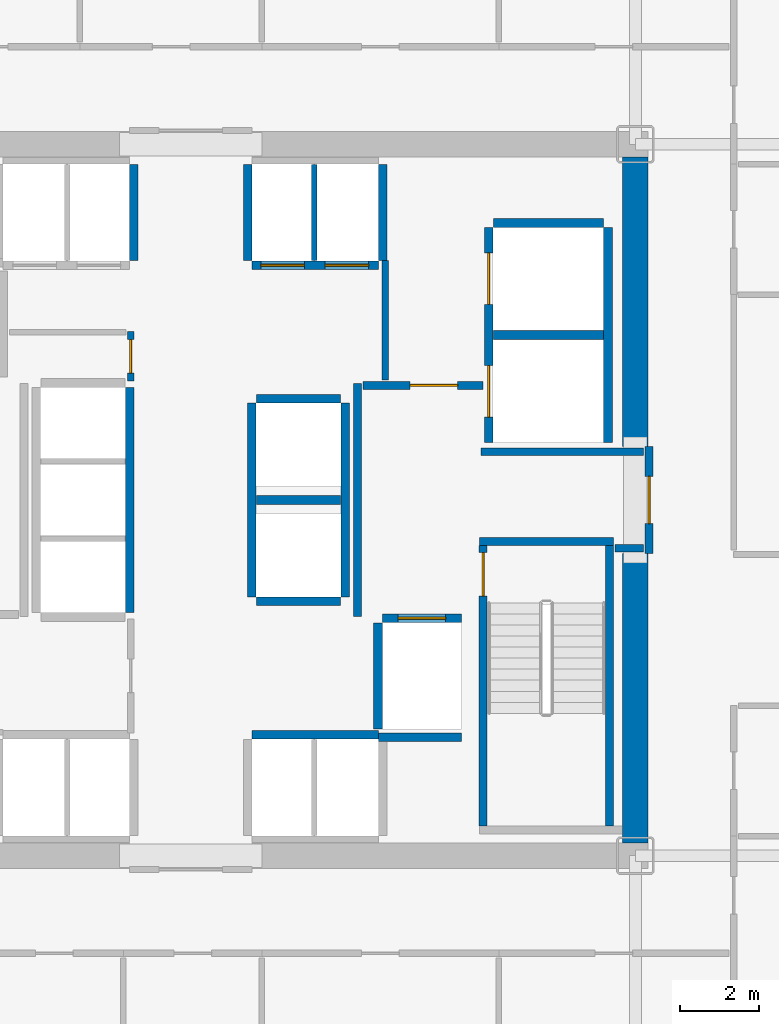
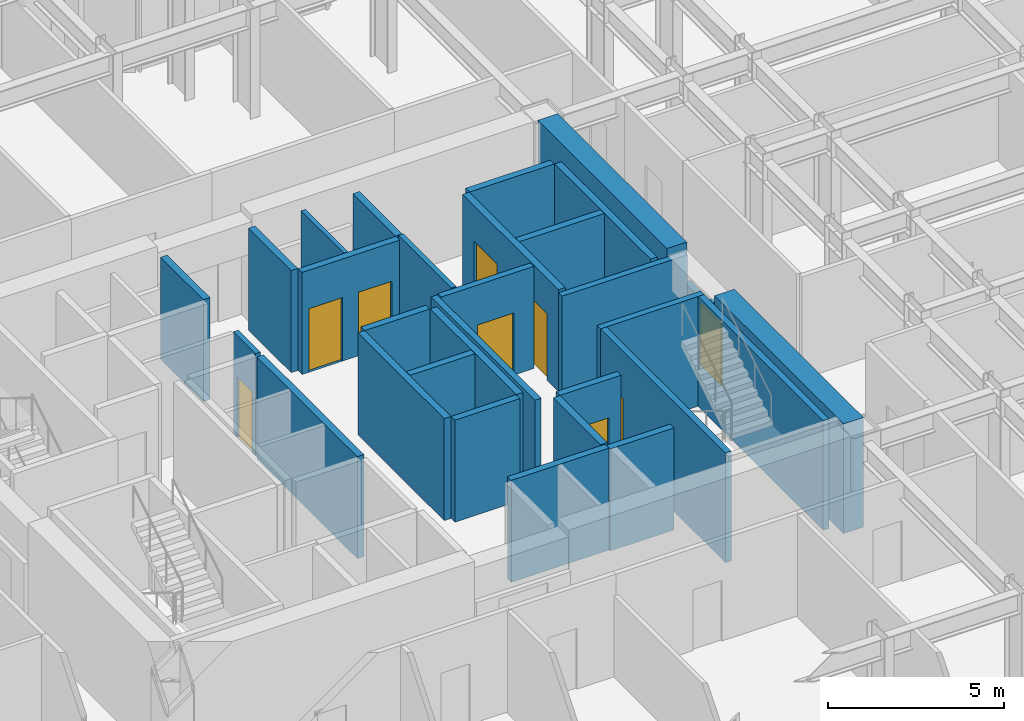
# One storey, part 22 of 26: 31 walls, 9 doors, 9 openings.
"""IFC4 building model written with IfcOpenShell, lengths in metres."""

from ifc_helpers import new_model, si_unit, direction, frame, frame_2d, origin, place, context, subcontext, project, spatial, rectangle, extrude, source, transform, mapped, material, layer, layer_set, type_object, element, fill, save


model = new_model("IFC4")

# Units and contexts
model_context = context("Model", 3, precision=1e-05, world=origin(), true_north=direction((0.0, 1.0)))
body_context = subcontext(model_context, "Body", "Model", "MODEL_VIEW")
ifc_project = project(units=[si_unit("LENGTHUNIT", "METRE"), si_unit("AREAUNIT", "SQUARE_METRE"), si_unit("VOLUMEUNIT", "CUBIC_METRE"), si_unit("PLANEANGLEUNIT", "RADIAN"), si_unit("MASSUNIT", "GRAM", prefix="KILO")], contexts=[model_context])

# Site, building, storey
site_placement = place(None, origin())
site = spatial("IfcSite", under=ifc_project, at=site_placement, CompositionType="ELEMENT")
building_placement = place(site_placement, origin())
building = spatial("IfcBuilding", under=site, at=building_placement, Name="Nefas-Gora Pilgrimage Tower", CompositionType="ELEMENT")
storey_placement = place(building_placement, frame((0.0, 0.0, 63.39990234375)))
storey = spatial("IfcBuildingStorey", under=building, at=storey_placement, Name="L14", CompositionType="ELEMENT", Elevation=63.39990234375)

# Walls
ifc_material_1 = material(Name="Concrete C60/75", Category="concrete")
ifc_layer_1 = layer(ifc_material_1, 0.64990234375)
ifc_layer_set_1 = layer_set([ifc_layer_1], Name="Concrete C60/75")
wall_type_1 = type_object("IfcWallType", Name="SW-CORE-650", PredefinedType="SHEAR", material=ifc_layer_set_1)
shared_shape_1 = source(origin(), body_context, "Body", "SweptSolid", [
    extrude(rectangle(XDim=7.324951171875, YDim=0.64990234375, at=frame_2d((3.66259765625, 0.0))), origin(), (0.0, 0.0, 1.0), 3.800048828125),
])
for number, where, z_axis, x_axis, name in (
    (1, (11.25, -8.675048828125, 0.0), (0.0, 0.0, 1.0), (0.0, 1.0, 0.0), "L14 Core Shear Wall E-South"),
    (2, (11.25, 1.35009765625, 0.0), (0.0, 0.0, 1.0), (0.0, 1.0, 0.0), "L14 Core Shear Wall E-North"),
):
    element("IfcWall", number, at=place(storey_placement, frame(where, z_axis=z_axis, x_axis=x_axis)), inside=storey, type_object=wall_type_1, Name=name, PredefinedType="SHEAR", context=body_context, shape_type="MappedRepresentation", body=[
        mapped(shared_shape_1, transform((0.0, 0.0, 0.0), x_axis=(1.0, 0.0, 0.0), y_axis=(0.0, 1.0, 0.0), z_axis=(0.0, 0.0, 1.0), scale=1.0)),
    ])
ifc_material_2 = material(Name="Concrete C45/55", Category="concrete")
ifc_layer_2 = layer(ifc_material_2, 0.199951171875)
ifc_layer_set_2 = layer_set([ifc_layer_2], Name="Concrete C45/55")
wall_type_2 = type_object("IfcWallType", Name="IW-STAIR-200", PredefinedType="SOLIDWALL", material=ifc_layer_set_2)
shared_shape_2 = source(origin(), body_context, "Body", "SweptSolid", [
    extrude(rectangle(XDim=3.39990234375, YDim=0.199951171875, at=frame_2d((1.699951171875, 0.0))), origin(), (0.0, 0.0, 1.0), 3.800048828125),
])
wall_1_placement = place(storey_placement, frame((7.300048828125, -1.050048828125, 0.0), z_axis=(0.0, 0.0, 1.0), x_axis=(1.0, 0.0, 0.0)))
element("IfcWall", 3, at=wall_1_placement, inside=storey, type_object=wall_type_2, Name="L14 Stairwell Shear Wall ST-02-near", PredefinedType="SOLIDWALL", context=body_context, shape_type="MappedRepresentation", body=[
    mapped(shared_shape_2, transform((0.0, 0.0, 0.0), x_axis=(1.0, 0.0, 0.0), y_axis=(0.0, 1.0, 0.0), z_axis=(0.0, 0.0, 1.0), scale=1.0)),
])

# Wall, opening, door
shared_shape_3 = source(origin(), body_context, "Body", "SweptSolid", [
    extrude(rectangle(XDim=7.10009765625, YDim=0.199951171875, at=frame_2d((3.550048828125, 0.0))), origin(), (0.0, 0.0, 1.0), 3.800048828125),
])
wall_2_placement = place(storey_placement, frame((7.39990234375, -1.14990234375, 0.0), z_axis=(0.0, 0.0, 1.0), x_axis=(0.0, -1.0, 0.0)))
wall_2 = element("IfcWall", 4, at=wall_2_placement, inside=storey, type_object=wall_type_2, Name="L14 Stairwell Shear Wall ST-02-left", PredefinedType="SOLIDWALL", context=body_context, shape_type="MappedRepresentation", body=[
    mapped(shared_shape_3, transform((0.0, 0.0, 0.0), x_axis=(1.0, 0.0, 0.0), y_axis=(0.0, 1.0, 0.0), z_axis=(0.0, 0.0, 1.0), scale=1.0)),
])
opening_1_placement = place(wall_2_placement, frame((0.179931640625, 0.0, 0.0)))
opening_1 = element("IfcOpeningElement", 5, at=opening_1_placement, cuts=wall_2, Name="Opening ID-ST1", PredefinedType="OPENING", context=body_context, shape_type="SweptSolid", body=[
    extrude(rectangle(XDim=1.10009765625, YDim=2.14990234375, at=frame_2d((0.550048828125, 1.074951171875))), frame((0.0, 0.10986328125, 0.0), z_axis=(0.0, -1.0, 0.0), x_axis=(1.0, 0.0, 0.0)), (0.0, 0.0, 1.0), 0.219970703125),
])
ifc_material_3 = material(Name="Painted galvanised steel fire stair door", Category="steel")
door_type_1 = type_object("IfcDoorType", Name="DR-INT-STAIR-1100", OperationType="NOTDEFINED", PredefinedType="DOOR", material=ifc_material_3)
shared_shape_4 = source(origin(), body_context, "Body", "SweptSolid", [
    extrude(rectangle(XDim=1.10009765625, YDim=2.14990234375, at=frame_2d((0.550048828125, 1.074951171875))), frame((0.0, 0.02490234375, 0.0), z_axis=(0.0, -1.0, 0.0), x_axis=(1.0, 0.0, 0.0)), (0.0, 0.0, 1.0), 0.050048828125),
])
door_1_placement = place(opening_1_placement, origin())
door_1 = element("IfcDoor", 6, at=door_1_placement, inside=storey, type_object=door_type_1, Name="L14 Protected Exit Stair Door ST-02", OperationType="SINGLE_SWING_LEFT", OverallHeight=2.14990234375, OverallWidth=1.10009765625, PredefinedType="DOOR", context=body_context, shape_type="MappedRepresentation", body=[
    mapped(shared_shape_4, transform((0.0, 0.0, 0.0), x_axis=(1.0, 0.0, 0.0), y_axis=(0.0, 1.0, 0.0), z_axis=(0.0, 0.0, 1.0), scale=1.0)),
])
fill(opening_1, door_1)

# Wall
wall_3_placement = place(storey_placement, frame((10.60009765625, -1.14990234375, 0.0), z_axis=(0.0, 0.0, 1.0), x_axis=(0.0, -1.0, 0.0)))
element("IfcWall", 7, at=wall_3_placement, inside=storey, type_object=wall_type_2, Name="L14 Stairwell Shear Wall ST-02-right", PredefinedType="SOLIDWALL", context=body_context, shape_type="MappedRepresentation", body=[
    mapped(shared_shape_3, transform((0.0, 0.0, 0.0), x_axis=(1.0, 0.0, 0.0), y_axis=(0.0, 1.0, 0.0), z_axis=(0.0, 0.0, 1.0), scale=1.0)),
])

# Wall, opening, door
ifc_material_4 = material(Name="Concrete C40/50", Category="concrete")
ifc_layer_3 = layer(ifc_material_4, 0.219970703125)
ifc_layer_set_3 = layer_set([ifc_layer_3], Name="Concrete C40/50")
wall_type_3 = type_object("IfcWallType", Name="IW-SHAFT-220", PredefinedType="SOLIDWALL", material=ifc_layer_set_3)
shared_shape_5 = source(origin(), body_context, "Body", "SweptSolid", [
    extrude(rectangle(XDim=2.0, YDim=0.219970703125, at=frame_2d((1.0, 0.0))), origin(), (0.0, 0.0, 1.0), 3.53515625),
])
wall_4_placement = place(storey_placement, frame((6.85009765625, -2.989990234375, 0.0), z_axis=(0.0, 0.0, 1.0), x_axis=(-1.0, 0.0, 0.0)))
wall_4 = element("IfcWall", 8, at=wall_4_placement, inside=storey, type_object=wall_type_3, Name="L14 Hoistway Wall FFL-02-N", PredefinedType="SOLIDWALL", context=body_context, shape_type="MappedRepresentation", body=[
    mapped(shared_shape_5, transform((0.0, 0.0, 0.0), x_axis=(1.0, 0.0, 0.0), y_axis=(0.0, 1.0, 0.0), z_axis=(0.0, 0.0, 1.0), scale=1.0)),
])
opening_2_placement = place(wall_4_placement, frame((0.39990234375, 0.0, 0.0)))
opening_2 = element("IfcOpeningElement", 9, at=opening_2_placement, cuts=wall_4, Name="Opening LD-FF", PredefinedType="OPENING", context=body_context, shape_type="SweptSolid", body=[
    extrude(rectangle(XDim=1.199951171875, YDim=2.199951171875, at=frame_2d((0.60009765625, 1.10009765625))), frame((0.0, 0.119873046875, 0.0), z_axis=(0.0, -1.0, 0.0), x_axis=(1.0, 0.0, 0.0)), (0.0, 0.0, 1.0), 0.239990234375),
])
ifc_material_5 = material(Name="Fire-service sliding lift landing door")
door_type_2 = type_object("IfcDoorType", Name="DR-LIFT-FSAE-1200", OperationType="SLIDING_TO_LEFT", PredefinedType="DOOR", material=ifc_material_5)
shared_shape_6 = source(origin(), body_context, "Body", "SweptSolid", [
    extrude(rectangle(XDim=1.199951171875, YDim=2.199951171875, at=frame_2d((0.60009765625, 1.10009765625))), frame((0.0, 0.02490234375, 0.0), z_axis=(0.0, -1.0, 0.0), x_axis=(1.0, 0.0, 0.0)), (0.0, 0.0, 1.0), 0.050048828125),
])
door_2_placement = place(opening_2_placement, origin())
door_2 = element("IfcDoor", 10, at=door_2_placement, inside=storey, type_object=door_type_2, Name="L14 Sliding Lift Landing Door FFL-02", OperationType="SLIDING_TO_LEFT", OverallHeight=2.199951171875, OverallWidth=1.199951171875, PredefinedType="DOOR", context=body_context, shape_type="MappedRepresentation", body=[
    mapped(shared_shape_6, transform((0.0, 0.0, 0.0), x_axis=(1.0, 0.0, 0.0), y_axis=(0.0, 1.0, 0.0), z_axis=(0.0, 0.0, 1.0), scale=1.0)),
])
fill(opening_2, door_2)

# Wall
shared_shape_7 = source(origin(), body_context, "Body", "SweptSolid", [
    extrude(rectangle(XDim=2.679931640625, YDim=0.219970703125, at=frame_2d((1.33984375, 0.0))), origin(), (0.0, 0.0, 1.0), 3.53515625),
])
wall_5_placement = place(storey_placement, frame((4.739990234375, -3.110107421875, 0.0), z_axis=(0.0, 0.0, 1.0), x_axis=(0.0, -1.0, 0.0)))
element("IfcWall", 11, at=wall_5_placement, inside=storey, type_object=wall_type_3, Name="L14 Hoistway Wall FFL-02-W", PredefinedType="SOLIDWALL", context=body_context, shape_type="MappedRepresentation", body=[
    mapped(shared_shape_7, transform((0.0, 0.0, 0.0), x_axis=(1.0, 0.0, 0.0), y_axis=(0.0, 1.0, 0.0), z_axis=(0.0, 0.0, 1.0), scale=1.0)),
])

# Wall, openings, doors
shared_shape_8 = source(origin(), body_context, "Body", "SweptSolid", [
    extrude(rectangle(XDim=5.449951171875, YDim=0.219970703125, at=frame_2d((2.72509765625, 0.0))), origin(), (0.0, 0.0, 1.0), 3.53515625),
])
wall_6_placement = place(storey_placement, frame((7.5400390625, 6.89990234375, 0.0), z_axis=(0.0, 0.0, 1.0), x_axis=(0.0, -1.0, 0.0)))
wall_6 = element("IfcWall", 12, at=wall_6_placement, inside=storey, type_object=wall_type_3, Name="L14 Hoistway Wall SL-01-02-W", PredefinedType="SOLIDWALL", context=body_context, shape_type="MappedRepresentation", body=[
    mapped(shared_shape_8, transform((0.0, 0.0, 0.0), x_axis=(1.0, 0.0, 0.0), y_axis=(0.0, 1.0, 0.0), z_axis=(0.0, 0.0, 1.0), scale=1.0)),
])
opening_3_placement = place(wall_6_placement, frame((3.5, 0.0, 0.0)))
opening_3 = element("IfcOpeningElement", 13, at=opening_3_placement, cuts=wall_6, Name="Opening LD-SV", PredefinedType="OPENING", context=body_context, shape_type="SweptSolid", body=[
    extrude(rectangle(XDim=1.300048828125, YDim=2.300048828125, at=frame_2d((0.64990234375, 1.14990234375))), frame((0.0, 0.119873046875, 0.0), z_axis=(0.0, -1.0, 0.0), x_axis=(1.0, 0.0, 0.0)), (0.0, 0.0, 1.0), 0.239990234375),
])
opening_4_placement = place(wall_6_placement, frame((0.64990234375, 0.0, 0.0)))
opening_4 = element("IfcOpeningElement", 14, at=opening_4_placement, cuts=wall_6, Name="Opening LD-SV", PredefinedType="OPENING", context=body_context, shape_type="SweptSolid", body=[
    extrude(rectangle(XDim=1.300048828125, YDim=2.300048828125, at=frame_2d((0.64990234375, 1.14990234375))), frame((0.0, 0.119873046875, 0.0), z_axis=(0.0, -1.0, 0.0), x_axis=(1.0, 0.0, 0.0)), (0.0, 0.0, 1.0), 0.239990234375),
])
ifc_material_6 = material(Name="Heavy goods sliding lift landing door")
door_type_3 = type_object("IfcDoorType", Name="DR-LIFT-SERV-1300", OperationType="SLIDING_TO_RIGHT", PredefinedType="DOOR", material=ifc_material_6)
shared_shape_9 = source(origin(), body_context, "Body", "SweptSolid", [
    extrude(rectangle(XDim=1.300048828125, YDim=2.300048828125, at=frame_2d((0.64990234375, 1.14990234375))), frame((0.0, 0.02490234375, 0.0), z_axis=(0.0, -1.0, 0.0), x_axis=(1.0, 0.0, 0.0)), (0.0, 0.0, 1.0), 0.050048828125),
])
door_3_placement = place(opening_3_placement, origin())
door_3 = element("IfcDoor", 15, at=door_3_placement, inside=storey, type_object=door_type_3, Name="L14 Sliding Lift Landing Door SL-01", OperationType="SLIDING_TO_RIGHT", OverallHeight=2.300048828125, OverallWidth=1.300048828125, PredefinedType="DOOR", context=body_context, shape_type="MappedRepresentation", body=[
    mapped(shared_shape_9, transform((0.0, 0.0, 0.0), x_axis=(1.0, 0.0, 0.0), y_axis=(0.0, 1.0, 0.0), z_axis=(0.0, 0.0, 1.0), scale=1.0)),
])
fill(opening_3, door_3)
door_4_placement = place(opening_4_placement, origin())
door_4 = element("IfcDoor", 16, at=door_4_placement, inside=storey, type_object=door_type_3, Name="L14 Sliding Lift Landing Door SL-02", OperationType="SLIDING_TO_RIGHT", OverallHeight=2.300048828125, OverallWidth=1.300048828125, PredefinedType="DOOR", context=body_context, shape_type="MappedRepresentation", body=[
    mapped(shared_shape_9, transform((0.0, 0.0, 0.0), x_axis=(1.0, 0.0, 0.0), y_axis=(0.0, 1.0, 0.0), z_axis=(0.0, 0.0, 1.0), scale=1.0)),
])
fill(opening_4, door_4)

# Walls
wall_7_placement = place(storey_placement, frame((10.56005859375, 1.449951171875, 0.0), z_axis=(0.0, 0.0, 1.0), x_axis=(0.0, 1.0, 0.0)))
element("IfcWall", 17, at=wall_7_placement, inside=storey, type_object=wall_type_3, Name="L14 Hoistway Wall SL-01-02-E", PredefinedType="SOLIDWALL", context=body_context, shape_type="MappedRepresentation", body=[
    mapped(shared_shape_8, transform((0.0, 0.0, 0.0), x_axis=(1.0, 0.0, 0.0), y_axis=(0.0, 1.0, 0.0), z_axis=(0.0, 0.0, 1.0), scale=1.0)),
])
shared_shape_10 = source(origin(), body_context, "Body", "SweptSolid", [
    extrude(rectangle(XDim=2.780029296875, YDim=0.219970703125, at=frame_2d((1.39013671875, 0.0))), origin(), (0.0, 0.0, 1.0), 3.53515625),
])
for number, where, z_axis, x_axis, name in (
    (18, (7.659912109375, 4.175048828125, 0.0), (0.0, 0.0, 1.0), (1.0, 0.0, 0.0), "L14 Hoistway Wall SL-01-02-DIV"),
    (19, (10.43994140625, 7.010009765625, 0.0), (0.0, 0.0, 1.0), (-1.0, 0.0, 0.0), "L14 Hoistway Wall SL-02-N"),
):
    element("IfcWall", number, at=place(storey_placement, frame(where, z_axis=z_axis, x_axis=x_axis)), inside=storey, type_object=wall_type_3, Name=name, PredefinedType="SOLIDWALL", context=body_context, shape_type="MappedRepresentation", body=[
        mapped(shared_shape_10, transform((0.0, 0.0, 0.0), x_axis=(1.0, 0.0, 0.0), y_axis=(0.0, 1.0, 0.0), z_axis=(0.0, 0.0, 1.0), scale=1.0)),
    ])

# Wall, openings, doors
shared_shape_11 = source(origin(), body_context, "Body", "SweptSolid", [
    extrude(rectangle(XDim=3.199951171875, YDim=0.219970703125, at=frame_2d((1.60009765625, 0.0))), origin(), (0.0, 0.0, 1.0), 3.53515625),
])
wall_8_placement = place(storey_placement, frame((1.550048828125, 5.93994140625, 0.0), z_axis=(0.0, 0.0, 1.0), x_axis=(1.0, 0.0, 0.0)))
wall_8 = element("IfcWall", 20, at=wall_8_placement, inside=storey, type_object=wall_type_3, Name="L14 Hoistway Wall PL1-E-S", PredefinedType="SOLIDWALL", context=body_context, shape_type="MappedRepresentation", body=[
    mapped(shared_shape_11, transform((0.0, 0.0, 0.0), x_axis=(1.0, 0.0, 0.0), y_axis=(0.0, 1.0, 0.0), z_axis=(0.0, 0.0, 1.0), scale=1.0)),
])
opening_5_placement = place(wall_8_placement, frame((0.22509765625, 0.0, 0.0)))
opening_5 = element("IfcOpeningElement", 21, at=opening_5_placement, cuts=wall_8, Name="Opening LD-01", PredefinedType="OPENING", context=body_context, shape_type="SweptSolid", body=[
    extrude(rectangle(XDim=1.10009765625, YDim=2.199951171875, at=frame_2d((0.550048828125, 1.10009765625))), frame((0.0, 0.119873046875, 0.0), z_axis=(0.0, -1.0, 0.0), x_axis=(1.0, 0.0, 0.0)), (0.0, 0.0, 1.0), 0.239990234375),
])
opening_6_placement = place(wall_8_placement, frame((1.85009765625, 0.0, 0.0)))
opening_6 = element("IfcOpeningElement", 22, at=opening_6_placement, cuts=wall_8, Name="Opening LD-01", PredefinedType="OPENING", context=body_context, shape_type="SweptSolid", body=[
    extrude(rectangle(XDim=1.10009765625, YDim=2.199951171875, at=frame_2d((0.550048828125, 1.10009765625))), frame((0.0, 0.119873046875, 0.0), z_axis=(0.0, -1.0, 0.0), x_axis=(1.0, 0.0, 0.0)), (0.0, 0.0, 1.0), 0.239990234375),
])
ifc_material_7 = material(Name="Brushed stainless sliding lift landing door")
door_type_4 = type_object("IfcDoorType", Name="DR-LIFT-PASS-1100", OperationType="DOUBLE_DOOR_SLIDING", PredefinedType="DOOR", material=ifc_material_7)
shared_shape_12 = source(origin(), body_context, "Body", "SweptSolid", [
    extrude(rectangle(XDim=1.10009765625, YDim=2.199951171875, at=frame_2d((0.550048828125, 1.10009765625))), frame((0.0, 0.02490234375, 0.0), z_axis=(0.0, -1.0, 0.0), x_axis=(1.0, 0.0, 0.0)), (0.0, 0.0, 1.0), 0.050048828125),
])
door_5_placement = place(opening_5_placement, origin())
door_5 = element("IfcDoor", 23, at=door_5_placement, inside=storey, type_object=door_type_4, Name="L14 Sliding Lift Landing Door PL1-03", OperationType="DOUBLE_DOOR_SLIDING", OverallHeight=2.199951171875, OverallWidth=1.10009765625, PredefinedType="DOOR", context=body_context, shape_type="MappedRepresentation", body=[
    mapped(shared_shape_12, transform((0.0, 0.0, 0.0), x_axis=(1.0, 0.0, 0.0), y_axis=(0.0, 1.0, 0.0), z_axis=(0.0, 0.0, 1.0), scale=1.0)),
])
fill(opening_5, door_5)
door_6_placement = place(opening_6_placement, origin())
door_6 = element("IfcDoor", 24, at=door_6_placement, inside=storey, type_object=door_type_4, Name="L14 Sliding Lift Landing Door PL1-04", OperationType="DOUBLE_DOOR_SLIDING", OverallHeight=2.199951171875, OverallWidth=1.10009765625, PredefinedType="DOOR", context=body_context, shape_type="MappedRepresentation", body=[
    mapped(shared_shape_12, transform((0.0, 0.0, 0.0), x_axis=(1.0, 0.0, 0.0), y_axis=(0.0, 1.0, 0.0), z_axis=(0.0, 0.0, 1.0), scale=1.0)),
])
fill(opening_6, door_6)

# Walls
wall_9_placement = place(storey_placement, frame((4.75, -5.93994140625, 0.0), z_axis=(0.0, 0.0, 1.0), x_axis=(-1.0, 0.0, 0.0)))
element("IfcWall", 25, at=wall_9_placement, inside=storey, type_object=wall_type_3, Name="L14 Hoistway Wall PL2-E-N", PredefinedType="SOLIDWALL", context=body_context, shape_type="MappedRepresentation", body=[
    mapped(shared_shape_11, transform((0.0, 0.0, 0.0), x_axis=(1.0, 0.0, 0.0), y_axis=(0.0, 1.0, 0.0), z_axis=(0.0, 0.0, 1.0), scale=1.0)),
])
shared_shape_13 = source(origin(), body_context, "Body", "SweptSolid", [
    extrude(rectangle(XDim=2.429931640625, YDim=0.219970703125, at=frame_2d((1.21484375, 0.0))), origin(), (0.0, 0.0, 1.0), 3.53515625),
])
for number, where, z_axis, x_axis, name in (
    (26, (-1.43994140625, 6.06005859375, 0.0), (0.0, 0.0, 1.0), (0.0, 1.0, 0.0), "L14 Hoistway Wall PL1-W-E"),
    (27, (1.43994140625, 8.489990234375, 0.0), (0.0, 0.0, 1.0), (0.0, -1.0, 0.0), "L14 Hoistway Wall PL1-E-W"),
    (28, (4.860107421875, 6.06005859375, 0.0), (0.0, 0.0, 1.0), (0.0, 1.0, 0.0), "L14 Hoistway Wall PL1-E-E"),
):
    element("IfcWall", number, at=place(storey_placement, frame(where, z_axis=z_axis, x_axis=x_axis)), inside=storey, type_object=wall_type_3, Name=name, PredefinedType="SOLIDWALL", context=body_context, shape_type="MappedRepresentation", body=[
        mapped(shared_shape_13, transform((0.0, 0.0, 0.0), x_axis=(1.0, 0.0, 0.0), y_axis=(0.0, 1.0, 0.0), z_axis=(0.0, 0.0, 1.0), scale=1.0)),
    ])
ifc_material_8 = material(Name="Gypsum twin-stud partition")
ifc_layer_4 = layer(ifc_material_8, 0.139892578125)
ifc_layer_set_4 = layer_set([ifc_layer_4], Name="Gypsum twin-stud partition")
wall_type_4 = type_object("IfcWallType", Name="IW-UNIT-140", PredefinedType="PARTITIONING", material=ifc_layer_set_4)
shared_shape_14 = source(origin(), body_context, "Body", "SweptSolid", [
    extrude(rectangle(XDim=2.429931640625, YDim=0.139892578125, at=frame_2d((1.21484375, 0.0))), origin(), (0.0, 0.0, 1.0), 3.53515625),
])
wall_10_placement = place(storey_placement, frame((3.125, 6.06005859375, 0.0), z_axis=(0.0, 0.0, 1.0), x_axis=(0.0, 1.0, 0.0)))
element("IfcWall", 29, at=wall_10_placement, inside=storey, type_object=wall_type_4, Name="L14 Hoistway Wall PL1-E-DIV", PredefinedType="PARTITIONING", context=body_context, shape_type="MappedRepresentation", body=[
    mapped(shared_shape_14, transform((0.0, 0.0, 0.0), x_axis=(1.0, 0.0, 0.0), y_axis=(0.0, 1.0, 0.0), z_axis=(0.0, 0.0, 1.0), scale=1.0)),
])
shared_shape_15 = source(origin(), body_context, "Body", "SweptSolid", [
    extrude(rectangle(XDim=5.7001953125, YDim=0.219970703125, at=frame_2d((2.85009765625, 0.0))), origin(), (0.0, 0.0, 1.0), 3.53515625),
])
wall_11_placement = place(storey_placement, frame((-1.5400390625, -2.85009765625, 0.0), z_axis=(0.0, 0.0, 1.0), x_axis=(0.0, 1.0, 0.0)))
element("IfcWall", 30, at=wall_11_placement, inside=storey, type_object=wall_type_3, Name="L14 Hoistway Wall PL3-01-03-E", PredefinedType="SOLIDWALL", context=body_context, shape_type="MappedRepresentation", body=[
    mapped(shared_shape_15, transform((0.0, 0.0, 0.0), x_axis=(1.0, 0.0, 0.0), y_axis=(0.0, 1.0, 0.0), z_axis=(0.0, 0.0, 1.0), scale=1.0)),
])
shared_shape_16 = source(origin(), body_context, "Body", "SweptSolid", [
    extrude(rectangle(XDim=2.130126953125, YDim=0.219970703125, at=frame_2d((1.06494140625, 0.0))), origin(), (0.0, 0.0, 1.0), 3.53515625),
])
for number, where, z_axis, x_axis, name in (
    (31, (1.659912109375, -2.56005859375, 0.0), (0.0, 0.0, 1.0), (1.0, 0.0, 0.0), "L14 Hoistway Wall OBS-01-S"),
    (32, (1.659912109375, 0.0, 0.0), (0.0, 0.0, 1.0), (1.0, 0.0, 0.0), "L14 Hoistway Wall OBS-01-02-DIV"),
    (33, (3.7900390625, 2.56005859375, 0.0), (0.0, 0.0, 1.0), (-1.0, 0.0, 0.0), "L14 Hoistway Wall OBS-02-N"),
):
    element("IfcWall", number, at=place(storey_placement, frame(where, z_axis=z_axis, x_axis=x_axis)), inside=storey, type_object=wall_type_3, Name=name, PredefinedType="SOLIDWALL", context=body_context, shape_type="MappedRepresentation", body=[
        mapped(shared_shape_16, transform((0.0, 0.0, 0.0), x_axis=(1.0, 0.0, 0.0), y_axis=(0.0, 1.0, 0.0), z_axis=(0.0, 0.0, 1.0), scale=1.0)),
    ])
shared_shape_17 = source(origin(), body_context, "Body", "SweptSolid", [
    extrude(rectangle(XDim=4.89990234375, YDim=0.219970703125, at=frame_2d((2.449951171875, 0.0))), origin(), (0.0, 0.0, 1.0), 3.53515625),
])
for number, where, z_axis, x_axis, name in (
    (34, (1.5400390625, 2.449951171875, 0.0), (0.0, 0.0, 1.0), (0.0, -1.0, 0.0), "L14 Hoistway Wall OBS-01-02-W"),
    (35, (3.909912109375, -2.449951171875, 0.0), (0.0, 0.0, 1.0), (0.0, 1.0, 0.0), "L14 Hoistway Wall OBS-01-02-E"),
):
    element("IfcWall", number, at=place(storey_placement, frame(where, z_axis=z_axis, x_axis=x_axis)), inside=storey, type_object=wall_type_3, Name=name, PredefinedType="SOLIDWALL", context=body_context, shape_type="MappedRepresentation", body=[
        mapped(shared_shape_17, transform((0.0, 0.0, 0.0), x_axis=(1.0, 0.0, 0.0), y_axis=(0.0, 1.0, 0.0), z_axis=(0.0, 0.0, 1.0), scale=1.0)),
    ])

# Wall, opening, door
ifc_material_9 = material(Name="Gypsum fire-rated shaftwall")
ifc_layer_5 = layer(ifc_material_9, 0.199951171875)
ifc_layer_set_5 = layer_set([ifc_layer_5], Name="Gypsum fire-rated shaftwall")
wall_type_5 = type_object("IfcWallType", Name="IW-FFLOB-200", PredefinedType="PARTITIONING", material=ifc_layer_set_5)
shared_shape_18 = source(origin(), body_context, "Body", "SweptSolid", [
    extrude(rectangle(XDim=2.7001953125, YDim=0.199951171875, at=frame_2d((1.35009765625, 0.0))), origin(), (0.0, 0.0, 1.0), 2.425048828125),
])
wall_12_placement = place(storey_placement, frame((11.60009765625, -1.35009765625, 0.0), z_axis=(0.0, 0.0, 1.0), x_axis=(0.0, 1.0, 0.0)))
wall_12 = element("IfcWall", 36, at=wall_12_placement, inside=storey, type_object=wall_type_5, Name="L14 FF Lobby East Portal Wall 8", PredefinedType="PARTITIONING", context=body_context, shape_type="MappedRepresentation", body=[
    mapped(shared_shape_18, transform((0.0, 0.0, 0.0), x_axis=(1.0, 0.0, 0.0), y_axis=(0.0, 1.0, 0.0), z_axis=(0.0, 0.0, 1.0), scale=1.0)),
])
opening_7_placement = place(wall_12_placement, frame((0.75, 0.0, 0.0)))
opening_7 = element("IfcOpeningElement", 37, at=opening_7_placement, cuts=wall_12, Name="Opening ID-FF1", PredefinedType="OPENING", context=body_context, shape_type="SweptSolid", body=[
    extrude(rectangle(XDim=1.199951171875, YDim=2.14990234375, at=frame_2d((0.60009765625, 1.074951171875))), frame((0.0, 0.10986328125, 0.0), z_axis=(0.0, -1.0, 0.0), x_axis=(1.0, 0.0, 0.0)), (0.0, 0.0, 1.0), 0.219970703125),
])
ifc_material_10 = material(Name="Smoke-sealed steel firefighting lobby door", Category="steel")
door_type_5 = type_object("IfcDoorType", Name="DR-INT-FFLOB-1200", OperationType="NOTDEFINED", PredefinedType="DOOR", material=ifc_material_10)
shared_shape_19 = source(origin(), body_context, "Body", "SweptSolid", [
    extrude(rectangle(XDim=1.199951171875, YDim=2.14990234375, at=frame_2d((0.60009765625, 1.074951171875))), frame((0.0, 0.02490234375, 0.0), z_axis=(0.0, -1.0, 0.0), x_axis=(1.0, 0.0, 0.0)), (0.0, 0.0, 1.0), 0.050048828125),
])
door_7_placement = place(opening_7_placement, origin())
door_7 = element("IfcDoor", 38, at=door_7_placement, inside=storey, type_object=door_type_5, Name="L14 FF Lobby East Portal Door 2", OperationType="SINGLE_SWING_LEFT", OverallHeight=2.14990234375, OverallWidth=1.199951171875, PredefinedType="DOOR", context=body_context, shape_type="MappedRepresentation", body=[
    mapped(shared_shape_19, transform((0.0, 0.0, 0.0), x_axis=(1.0, 0.0, 0.0), y_axis=(0.0, 1.0, 0.0), z_axis=(0.0, 0.0, 1.0), scale=1.0)),
])
fill(opening_7, door_7)

# Walls
shared_shape_20 = source(origin(), body_context, "Body", "SweptSolid", [
    extrude(rectangle(XDim=2.09521484375, YDim=0.219970703125, at=frame_2d((1.047607421875, 0.0))), origin(), (0.0, 0.0, 1.0), 3.53515625),
])
wall_13_placement = place(storey_placement, frame((4.7548828125, -6.0, 0.0), z_axis=(0.0, 0.0, 1.0), x_axis=(1.0, 0.0, 0.0)))
element("IfcWall", 39, at=wall_13_placement, inside=storey, type_object=wall_type_3, Name="L14 Riser Shaft Wall 2", PredefinedType="SOLIDWALL", context=body_context, shape_type="MappedRepresentation", body=[
    mapped(shared_shape_20, transform((0.0, 0.0, 0.0), x_axis=(1.0, 0.0, 0.0), y_axis=(0.0, 1.0, 0.0), z_axis=(0.0, 0.0, 1.0), scale=1.0)),
])
shared_shape_21 = source(origin(), body_context, "Body", "SweptSolid", [
    extrude(rectangle(XDim=5.89990234375, YDim=0.199951171875, at=frame_2d((2.949951171875, 0.0))), origin(), (0.0, 0.0, 1.0), 3.53515625),
])
wall_14_placement = place(storey_placement, frame((4.219970703125, -2.949951171875, 0.0), z_axis=(0.0, 0.0, 1.0), x_axis=(0.0, 1.0, 0.0)))
element("IfcWall", 40, at=wall_14_placement, inside=storey, type_object=wall_type_5, Name="L14 FF Lobby East Inner Wall Wall 9", PredefinedType="PARTITIONING", context=body_context, shape_type="MappedRepresentation", body=[
    mapped(shared_shape_21, transform((0.0, 0.0, 0.0), x_axis=(1.0, 0.0, 0.0), y_axis=(0.0, 1.0, 0.0), z_axis=(0.0, 0.0, 1.0), scale=1.0)),
])
shared_shape_22 = source(origin(), body_context, "Body", "SweptSolid", [
    extrude(rectangle(XDim=0.719970703125, YDim=0.199951171875, at=frame_2d((0.35986328125, 0.0))), origin(), (0.0, 0.0, 1.0), 3.53515625),
])
wall_15_placement = place(storey_placement, frame((10.739990234375, -1.219970703125, 0.0), z_axis=(0.0, 0.0, 1.0), x_axis=(1.0, 0.0, 0.0)))
element("IfcWall", 41, at=wall_15_placement, inside=storey, type_object=wall_type_5, Name="L14 FF Lobby East Throat S Wall 12", PredefinedType="PARTITIONING", context=body_context, shape_type="MappedRepresentation", body=[
    mapped(shared_shape_22, transform((0.0, 0.0, 0.0), x_axis=(1.0, 0.0, 0.0), y_axis=(0.0, 1.0, 0.0), z_axis=(0.0, 0.0, 1.0), scale=1.0)),
])

# Wall, opening, door
shared_shape_23 = source(origin(), body_context, "Body", "SweptSolid", [
    extrude(rectangle(XDim=3.039794921875, YDim=0.199951171875, at=frame_2d((1.52001953125, 0.0))), origin(), (0.0, 0.0, 1.0), 3.53515625),
])
wall_16_placement = place(storey_placement, frame((4.360107421875, 2.89990234375, 0.0), z_axis=(0.0, 0.0, 1.0), x_axis=(1.0, 0.0, 0.0)))
wall_16 = element("IfcWall", 42, at=wall_16_placement, inside=storey, type_object=wall_type_5, Name="L14 FF Lobby East North Wall Wall 10", PredefinedType="PARTITIONING", context=body_context, shape_type="MappedRepresentation", body=[
    mapped(shared_shape_23, transform((0.0, 0.0, 0.0), x_axis=(1.0, 0.0, 0.0), y_axis=(0.0, 1.0, 0.0), z_axis=(0.0, 0.0, 1.0), scale=1.0)),
])
opening_8_placement = place(wall_16_placement, frame((1.18994140625, 0.0, 0.0)))
opening_8 = element("IfcOpeningElement", 43, at=opening_8_placement, cuts=wall_16, Name="Opening ID-PL1", PredefinedType="OPENING", context=body_context, shape_type="SweptSolid", body=[
    extrude(rectangle(XDim=1.199951171875, YDim=2.14990234375, at=frame_2d((0.60009765625, 1.074951171875))), frame((0.0, 0.10986328125, 0.0), z_axis=(0.0, -1.0, 0.0), x_axis=(1.0, 0.0, 0.0)), (0.0, 0.0, 1.0), 0.219970703125),
])
ifc_material_11 = material(Name="Heavy-duty steel plant room fire door", Category="steel")
door_type_6 = type_object("IfcDoorType", Name="DR-INT-PLANT-1200", OperationType="NOTDEFINED", PredefinedType="DOOR", material=ifc_material_11)
door_8_placement = place(opening_8_placement, origin())
door_8 = element("IfcDoor", 44, at=door_8_placement, inside=storey, type_object=door_type_6, Name="L14 Service Lift Lobby Door Door 3", OperationType="SINGLE_SWING_RIGHT", OverallHeight=2.14990234375, OverallWidth=1.199951171875, PredefinedType="DOOR", context=body_context, shape_type="MappedRepresentation", body=[
    mapped(shared_shape_19, transform((0.0, 0.0, 0.0), x_axis=(1.0, 0.0, 0.0), y_axis=(0.0, 1.0, 0.0), z_axis=(0.0, 0.0, 1.0), scale=1.0)),
])
fill(opening_8, door_8)

# Walls
shared_shape_24 = source(origin(), body_context, "Body", "SweptSolid", [
    extrude(rectangle(XDim=4.10986328125, YDim=0.199951171875, at=frame_2d((2.054931640625, 0.0))), origin(), (0.0, 0.0, 1.0), 3.53515625),
])
wall_17_placement = place(storey_placement, frame((7.35009765625, 1.219970703125, 0.0), z_axis=(0.0, 0.0, 1.0), x_axis=(1.0, 0.0, 0.0)))
element("IfcWall", 45, at=wall_17_placement, inside=storey, type_object=wall_type_5, Name="L14 FF Lobby East Throat N Wall 11", PredefinedType="PARTITIONING", context=body_context, shape_type="MappedRepresentation", body=[
    mapped(shared_shape_24, transform((0.0, 0.0, 0.0), x_axis=(1.0, 0.0, 0.0), y_axis=(0.0, 1.0, 0.0), z_axis=(0.0, 0.0, 1.0), scale=1.0)),
])
ifc_material_12 = material(Name="Gypsum acoustic stud partition")
ifc_layer_6 = layer(ifc_material_12, 0.159912109375)
ifc_layer_set_6 = layer_set([ifc_layer_6], Name="Gypsum acoustic stud partition")
wall_type_6 = type_object("IfcWallType", Name="IW-CORR-160", PredefinedType="PARTITIONING", material=ifc_layer_set_6)
shared_shape_25 = source(origin(), body_context, "Body", "SweptSolid", [
    extrude(rectangle(XDim=3.014892578125, YDim=0.159912109375, at=frame_2d((1.50732421875, 0.0))), origin(), (0.0, 0.0, 1.0), 3.53515625),
])
wall_18_placement = place(storey_placement, frame((4.919921875, 3.0400390625, 0.0), z_axis=(0.0, 0.0, 1.0), x_axis=(0.0, 1.0, 0.0)))
element("IfcWall", 46, at=wall_18_placement, inside=storey, type_object=wall_type_6, Name="L14 Service Lift Lobby West Wall Wall 15", PredefinedType="PARTITIONING", context=body_context, shape_type="MappedRepresentation", body=[
    mapped(shared_shape_25, transform((0.0, 0.0, 0.0), x_axis=(1.0, 0.0, 0.0), y_axis=(0.0, 1.0, 0.0), z_axis=(0.0, 0.0, 1.0), scale=1.0)),
])

# Wall, opening, door
shared_shape_26 = source(origin(), body_context, "Body", "SweptSolid", [
    extrude(rectangle(XDim=1.25, YDim=0.159912109375, at=frame_2d((0.625, 0.0))), origin(), (0.0, 0.0, 1.0), 3.53515625),
])
wall_19_placement = place(storey_placement, frame((-1.52001953125, 3.010009765625, 0.0), z_axis=(0.0, 0.0, 1.0), x_axis=(0.0, 1.0, 0.0)))
wall_19 = element("IfcWall", 47, at=wall_19_placement, inside=storey, type_object=wall_type_6, Name="L14 Housekeeping and Linen Store Wall 16", PredefinedType="PARTITIONING", context=body_context, shape_type="MappedRepresentation", body=[
    mapped(shared_shape_26, transform((0.0, 0.0, 0.0), x_axis=(1.0, 0.0, 0.0), y_axis=(0.0, 1.0, 0.0), z_axis=(0.0, 0.0, 1.0), scale=1.0)),
])
opening_9_placement = place(wall_19_placement, frame((0.199951171875, 0.0, 0.0)))
opening_9 = element("IfcOpeningElement", 48, at=opening_9_placement, cuts=wall_19, Name="Opening ID-BT1", PredefinedType="OPENING", context=body_context, shape_type="SweptSolid", body=[
    extrude(rectangle(XDim=0.85009765625, YDim=2.10009765625, at=frame_2d((0.425048828125, 1.050048828125))), frame((0.0, 0.08984375, 0.0), z_axis=(0.0, -1.0, 0.0), x_axis=(1.0, 0.0, 0.0)), (0.0, 0.0, 1.0), 0.179931640625),
])
ifc_material_13 = material(Name="Moisture-resistant fire-rated timber door", Category="wood")
door_type_7 = type_object("IfcDoorType", Name="DR-INT-BATH-850", OperationType="NOTDEFINED", PredefinedType="DOOR", material=ifc_material_13)
shared_shape_27 = source(origin(), body_context, "Body", "SweptSolid", [
    extrude(rectangle(XDim=0.85009765625, YDim=2.10009765625, at=frame_2d((0.425048828125, 1.050048828125))), frame((0.0, 0.02490234375, 0.0), z_axis=(0.0, -1.0, 0.0), x_axis=(1.0, 0.0, 0.0)), (0.0, 0.0, 1.0), 0.050048828125),
])
door_9_placement = place(opening_9_placement, origin())
door_9 = element("IfcDoor", 49, at=door_9_placement, inside=storey, type_object=door_type_7, Name="L14 Housekeeping and Linen Store Door 6", OperationType="SINGLE_SWING_LEFT", OverallHeight=2.10009765625, OverallWidth=0.85009765625, PredefinedType="DOOR", context=body_context, shape_type="MappedRepresentation", body=[
    mapped(shared_shape_27, transform((0.0, 0.0, 0.0), x_axis=(1.0, 0.0, 0.0), y_axis=(0.0, 1.0, 0.0), z_axis=(0.0, 0.0, 1.0), scale=1.0)),
])
fill(opening_9, door_9)

save(model, "model.ifc")
